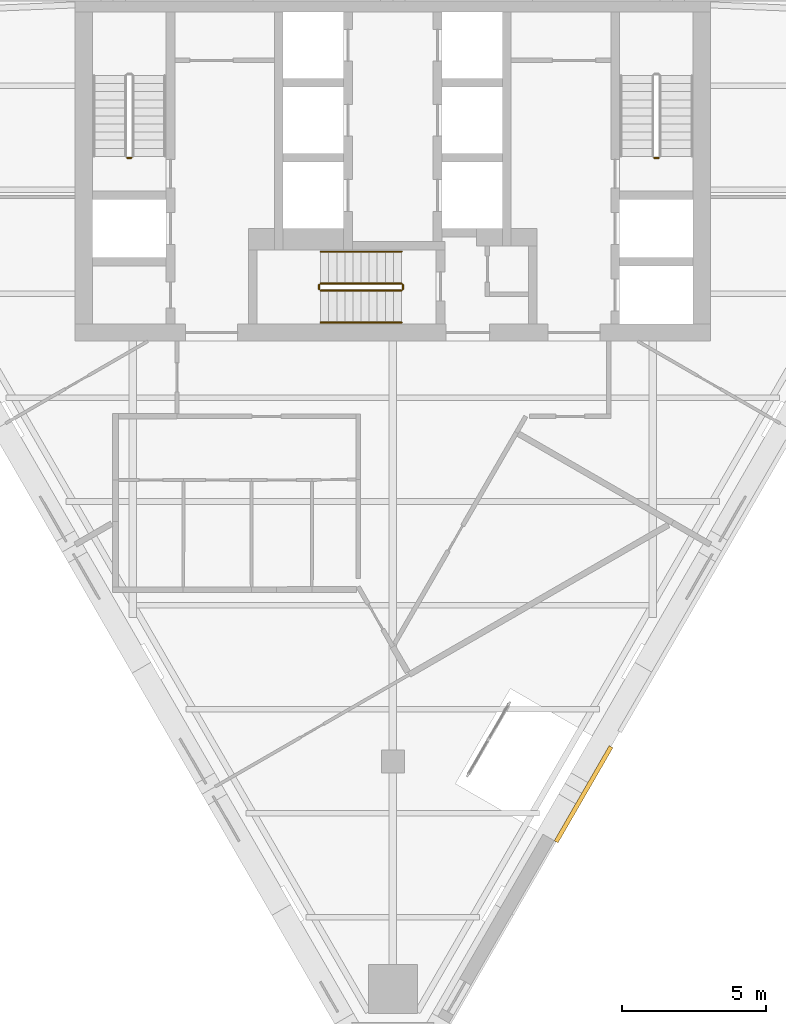
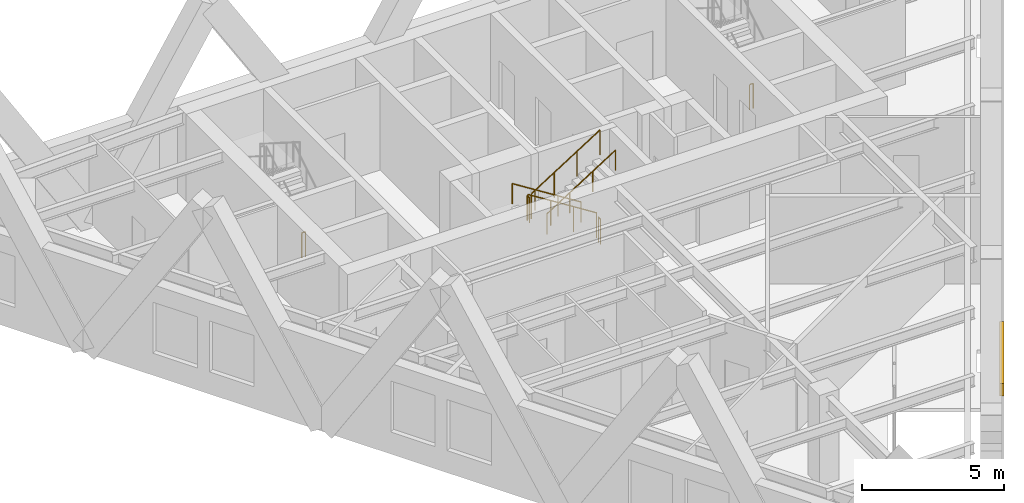
# One storey, part 8 of 10: 8 railings, 1 covering.
"""IFC4 building model written with IfcOpenShell, lengths in metres."""

import ifcopenshell
import ifcopenshell.guid

model = None  # the IFC model being written
_history = None  # IfcOwnerHistory: only IFC2X3 demands one
_inside = {}  # id of a spatial element -> (the spatial element, [elements in it])
_under = {}  # id of a project, library or spatial element -> (it, [spatial elements below it])
_declared = {}  # id of a project -> (the project, [libraries it declares])
_typed = {}  # id of a type object -> (the type object, [elements of that type])
_made_of = {}  # id of a material, layer set ... -> (it, [elements and type objects made of it])


def new_model(schema):
    """Start an empty IFC model of exactly this schema.

    Asked for "IFC4X3", IfcOpenShell would pick the latest addendum, in which some entities
    have other attributes; the version numbers below select the first issue.
    IFC2X3 requires an IfcOwnerHistory on every rooted entity: one is made here for all.
    """
    global model, _history
    if schema == "IFC4X3":
        model = ifcopenshell.file(schema_version=(4, 3, 0, 0))
    else:
        model = ifcopenshell.file(schema=schema)
    _inside.clear()
    _under.clear()
    _declared.clear()
    _typed.clear()
    _made_of.clear()
    _history = None
    if model.schema == "IFC2X3":
        org = make("IfcOrganization", Name="unknown")
        user = make(
            "IfcPersonAndOrganization",
            ThePerson=make("IfcPerson", FamilyName="unknown"),
            TheOrganization=org,
        )
        app = make(
            "IfcApplication",
            ApplicationDeveloper=org,
            Version="unknown",
            ApplicationFullName="unknown",
            ApplicationIdentifier="unknown",
        )
        _history = make(
            "IfcOwnerHistory",
            OwningUser=user,
            OwningApplication=app,
            ChangeAction="ADDED",
            CreationDate=0,
        )
    return model


def make(cls, **values):
    """One entity of the class cls with the attributes given. An attribute that is None is left unset."""
    return model.create_entity(
        cls, **{name: value for name, value in values.items() if value is not None}
    )


def rooted(cls, **values):
    """An entity with a GlobalId (a new one), such as an element, a storey or a relation."""
    return make(cls, GlobalId=ifcopenshell.guid.new(), OwnerHistory=_history, **values)


def si_unit(unit_type, name, prefix=None):
    """IfcSIUnit, for example si_unit("LENGTHUNIT", "METRE", prefix="MILLI")."""
    return make("IfcSIUnit", UnitType=unit_type, Prefix=prefix, Name=name)


def assignment(units):
    """IfcUnitAssignment: the units of a project."""
    return None if units is None else make("IfcUnitAssignment", Units=units)


def point(xyz):
    """IfcCartesianPoint."""
    return None if xyz is None else make("IfcCartesianPoint", Coordinates=xyz)


def direction(xyz):
    """IfcDirection."""
    return None if xyz is None else make("IfcDirection", DirectionRatios=xyz)


def frame(location, z_axis=None, x_axis=None):
    """IfcAxis2Placement3D, a coordinate frame: its origin and axes. An axis left out is left unset."""
    return make(
        "IfcAxis2Placement3D",
        Location=point(location),
        Axis=direction(z_axis),
        RefDirection=direction(x_axis),
    )


def frame_2d(location, x_axis=None):
    """IfcAxis2Placement2D, a coordinate frame in the plane: its origin and x axis."""
    return make(
        "IfcAxis2Placement2D", Location=point(location), RefDirection=direction(x_axis)
    )


def origin():
    """The frame at (0, 0, 0) with its axes left unset."""
    return frame((0.0, 0.0, 0.0))


def origin_2d():
    """The frame at (0, 0) in the plane with its x axis left unset."""
    return frame_2d((0.0, 0.0))


def place(relative_to, where):
    """IfcLocalPlacement: puts the frame where relative to a parent placement (None: the world)."""
    return make(
        "IfcLocalPlacement", PlacementRelTo=relative_to, RelativePlacement=where
    )


def context(
    kind, dimensions, precision=None, world=None, true_north=None, identifier=None
):
    """IfcGeometricRepresentationContext, for example the 3D "Model" context."""
    return make(
        "IfcGeometricRepresentationContext",
        ContextIdentifier=identifier,
        ContextType=kind,
        CoordinateSpaceDimension=dimensions,
        Precision=precision,
        WorldCoordinateSystem=world,
        TrueNorth=true_north,
    )


def subcontext(parent, identifier, kind, view, scale=None):
    """IfcGeometricRepresentationSubContext, for example "Body" below "Model"."""
    return make(
        "IfcGeometricRepresentationSubContext",
        ContextIdentifier=identifier,
        ContextType=kind,
        ParentContext=parent,
        TargetScale=scale,
        TargetView=view,
    )


def project(units=None, contexts=None):
    """IfcProject with its units and contexts."""
    return rooted(
        "IfcProject",
        Name="project",
        RepresentationContexts=contexts,
        UnitsInContext=assignment(units),
    )


def spatial(cls, under=None, at=None, **own):
    """A site, building, storey or space (cls), placed at a placement, below another one or the project."""
    s = rooted(cls, ObjectPlacement=at, **own)
    if under is not None:
        _under.setdefault(under.id(), (under, []))[1].append(s)
    return s


def polyline(points):
    """IfcPolyline through the points."""
    return make("IfcPolyline", Points=[point(p) for p in points])


def profile(cls, at=None, kind="AREA", **sizes):
    """A parametric profile (cls). Its sizes go by their IFC names, for example OverallWidth=200.0."""
    return make(cls, ProfileType=kind, Position=at, **sizes)


def circle(**sizes):
    """IfcCircleProfileDef."""
    return profile("IfcCircleProfileDef", **sizes)


def outline(outer, holes=None, kind="AREA"):
    """IfcArbitraryClosedProfileDef: a profile drawn as a closed curve; with holes, ...WithVoids."""
    if holes is None:
        return make("IfcArbitraryClosedProfileDef", ProfileType=kind, OuterCurve=outer)
    return make(
        "IfcArbitraryProfileDefWithVoids",
        ProfileType=kind,
        OuterCurve=outer,
        InnerCurves=holes,
    )


def extrude(swept, where, along, depth):
    """IfcExtrudedAreaSolid: the profile swept, set in the frame where, extruded along a direction by depth."""
    return make(
        "IfcExtrudedAreaSolid",
        SweptArea=swept,
        Position=where,
        ExtrudedDirection=direction(along),
        Depth=depth,
    )


def shape(context_of_items, identifier, shape_type, items):
    """IfcShapeRepresentation: the items that make up one representation, for example the "Body"."""
    return make(
        "IfcShapeRepresentation",
        ContextOfItems=context_of_items,
        RepresentationIdentifier=identifier,
        RepresentationType=shape_type,
        Items=items,
    )


def material(Name=None, Category=None):
    """IfcMaterial."""
    return make("IfcMaterial", Name=Name, Category=Category)


def layer(
    of_material, thickness, ventilated=None, Name=None, Category=None, Priority=None
):
    """IfcMaterialLayer: one layer of a wall or slab, of a material (None: an air gap)."""
    return make(
        "IfcMaterialLayer",
        Material=of_material,
        LayerThickness=thickness,
        IsVentilated=ventilated,
        Name=Name,
        Category=Category,
        Priority=Priority,
    )


def layer_set(layers, Name=None):
    """IfcMaterialLayerSet."""
    return make("IfcMaterialLayerSet", MaterialLayers=layers, LayerSetName=Name)


def made_of(thing, what):
    """Note that an element or type object is made of a material, layer set ...; save() writes the relation."""
    if what is not None:
        _made_of.setdefault(what.id(), (what, []))[1].append(thing)
    return thing


def type_object(cls, material=None, **own):
    """A type object (cls), such as IfcWallType, which elements share."""
    return made_of(rooted(cls, **own), material)


def element(
    cls,
    number,
    at=None,
    inside=None,
    cuts=None,
    type_object=None,
    material=None,
    context=None,
    identifier="Body",
    shape_type=None,
    held_by="IfcProductDefinitionShape",
    body=None,
    shapes=None,
    **own,
):
    """One element of the class cls, such as IfcWall. Its Tag is "e" and its number.

    at: its placement. inside: the storey or other place that contains it. cuts: it is an
    opening in that element (IfcRelVoidsElement). A single representation is given by context,
    identifier, shape_type and body (its items); several are given by shapes. held_by: the class
    of the entity that holds the representations. save() writes the other relations.
    """
    e = rooted(cls, Tag="e%d" % number, ObjectPlacement=at, **own)
    if body is not None:
        shapes = [shape(context, identifier, shape_type, body)]
    if shapes is not None:
        e.Representation = make(held_by, Representations=shapes)
    if inside is not None:
        _inside.setdefault(inside.id(), (inside, []))[1].append(e)
    if cuts is not None:
        rooted(
            "IfcRelVoidsElement", RelatingBuildingElement=cuts, RelatedOpeningElement=e
        )
    if type_object is not None:
        _typed.setdefault(type_object.id(), (type_object, []))[1].append(e)
    return made_of(e, material)


def aggregate(whole, parts):
    """IfcRelAggregates: a whole, such as a stair, and the parts it consists of."""
    return rooted("IfcRelAggregates", RelatingObject=whole, RelatedObjects=parts)


def save(model, path):
    """Write the relations noted so far, then the file.

    IfcRelAggregates (storeys below a building ...), IfcRelContainedInSpatialStructure (elements
    in a storey), IfcRelDefinesByType, IfcRelAssociatesMaterial and IfcRelDeclares: one each for
    every whole, place, type object, material and project.
    """
    for whole, parts in _under.values():
        aggregate(whole, parts)
    for where, things in _inside.values():
        rooted(
            "IfcRelContainedInSpatialStructure",
            RelatedElements=things,
            RelatingStructure=where,
        )
    for kind, things in _typed.values():
        rooted("IfcRelDefinesByType", RelatedObjects=things, RelatingType=kind)
    for what, things in _made_of.values():
        rooted("IfcRelAssociatesMaterial", RelatedObjects=things, RelatingMaterial=what)
    for by, libraries in _declared.values():
        rooted("IfcRelDeclares", RelatingContext=by, RelatedDefinitions=libraries)
    model.write(path)


model = new_model("IFC4")

# Units and contexts
model_context = context("Model", 3, precision=1e-05, world=origin(), true_north=direction((0.0, 1.0)))
body_context = subcontext(model_context, "Body", "Model", "MODEL_VIEW")
ifc_project = project(units=[si_unit("LENGTHUNIT", "METRE"), si_unit("AREAUNIT", "SQUARE_METRE"), si_unit("VOLUMEUNIT", "CUBIC_METRE"), si_unit("PLANEANGLEUNIT", "RADIAN"), si_unit("MASSUNIT", "GRAM", prefix="KILO")], contexts=[model_context])

# Site, building, storey
site_placement = place(None, origin())
site = spatial("IfcSite", under=ifc_project, at=site_placement, CompositionType="ELEMENT")
building_placement = place(site_placement, origin())
building = spatial("IfcBuilding", under=site, at=building_placement, Name="Aloe Facet Convention Tower", CompositionType="ELEMENT")
storey_placement = place(building_placement, frame((0.0, 0.0, 219.199951171875)))
storey = spatial("IfcBuildingStorey", under=building, at=storey_placement, Name="L55", CompositionType="ELEMENT", Elevation=219.199951171875)

# Railings
ifc_material_1 = material(Name="Steel S355 balustrade", Category="steel")
railing_type_1 = type_object("IfcRailingType", Name="CR-RL-GUARD", PredefinedType="GUARDRAIL", material=ifc_material_1)
for number, where, name in (
    (1, (70.949951171875, 128.89990234375, 0.0), "L55 ST1 stair guard 4"),
    (2, (89.199951171875, 128.89990234375, 0.0), "L55 ST2 stair guard 4"),
):
    element("IfcRailing", number, at=place(storey_placement, frame(where)), inside=storey, type_object=railing_type_1, Name=name, PredefinedType="GUARDRAIL", context=body_context, shape_type="SweptSolid", body=[
        extrude(circle(Radius=0.02392578125, at=origin_2d()), frame((0.0, 0.0, 1.076171875), z_axis=(-1.0, 0.0, 0.0), x_axis=(0.0, -1.0, 0.0)), (0.0, 0.0, 1.0), 0.14990234375),
        extrude(circle(Radius=0.02099609375, at=origin_2d()), origin(), (0.0, 0.0, 1.0), 1.052001953125),
        extrude(circle(Radius=0.02099609375, at=origin_2d()), frame((-0.14990234375, 0.0, 0.0)), (0.0, 0.0, 1.0), 1.052001953125),
    ])
railing_1_placement = place(storey_placement, frame((80.300048828125, 124.550048828125, 0.17724609375)))
element("IfcRailing", 3, at=railing_1_placement, inside=storey, type_object=railing_type_1, Name="L55 ST3 stair guard 1", PredefinedType="GUARDRAIL", context=body_context, shape_type="SweptSolid", body=[
    extrude(circle(Radius=0.02392578125, at=origin_2d()), frame((0.0, 0.0, 1.076171875), z_axis=(-0.844908973607, 0.0, 0.534910110503), x_axis=(0.0, -1.0, 0.0)), (0.0, 0.0, 1.0), 3.31396484375),
    extrude(circle(Radius=0.02099609375, at=origin_2d()), origin(), (0.0, 0.0, 1.0), 1.052001953125),
    extrude(circle(Radius=0.02099609375, at=origin_2d()), frame((-0.933349609375, 0.0, 0.5908203125)), (0.0, 0.0, 1.0), 1.052001953125),
    extrude(circle(Radius=0.02099609375, at=origin_2d()), frame((-1.86669921875, 0.0, 1.181884765625)), (0.0, 0.0, 1.0), 1.052001953125),
    extrude(circle(Radius=0.02099609375, at=origin_2d()), frame((-2.800048828125, 0.0, 1.772705078125)), (0.0, 0.0, 1.0), 1.052001953125),
])
railing_2_placement = place(storey_placement, frame((77.449951171875, 124.5, 1.949951171875)))
element("IfcRailing", 4, at=railing_2_placement, inside=storey, type_object=railing_type_1, Name="L55 ST3 stair guard 2", PredefinedType="GUARDRAIL", context=body_context, shape_type="SweptSolid", body=[
    extrude(circle(Radius=0.02392578125, at=origin_2d()), frame((0.0, 0.0, 1.076171875), z_axis=(0.0, -1.0, 0.0), x_axis=(1.0, 0.0, 0.0)), (0.0, 0.0, 1.0), 0.14990234375),
    extrude(circle(Radius=0.02099609375, at=origin_2d()), origin(), (0.0, 0.0, 1.0), 1.052001953125),
    extrude(circle(Radius=0.02099609375, at=origin_2d()), frame((0.0, -0.14990234375, 0.0)), (0.0, 0.0, 1.0), 1.052001953125),
])
railing_3_placement = place(storey_placement, frame((77.5, 124.300048828125, 2.12744140625)))
element("IfcRailing", 5, at=railing_3_placement, inside=storey, type_object=railing_type_1, Name="L55 ST3 stair guard 3", PredefinedType="GUARDRAIL", context=body_context, shape_type="SweptSolid", body=[
    extrude(circle(Radius=0.02392578125, at=origin_2d()), frame((0.0, 0.0, 1.076171875), z_axis=(0.844908973607, 0.0, 0.534910110503), x_axis=(0.0, 1.0, 0.0)), (0.0, 0.0, 1.0), 3.31396484375),
    extrude(circle(Radius=0.02099609375, at=origin_2d()), origin(), (0.0, 0.0, 1.0), 1.052001953125),
    extrude(circle(Radius=0.02099609375, at=origin_2d()), frame((0.933349609375, 0.0, 0.5908203125)), (0.0, 0.0, 1.0), 1.052001953125),
    extrude(circle(Radius=0.02099609375, at=origin_2d()), frame((1.86669921875, 0.0, 1.181884765625)), (0.0, 0.0, 1.0), 1.052001953125),
    extrude(circle(Radius=0.02099609375, at=origin_2d()), frame((2.800048828125, 0.0, 1.772705078125)), (0.0, 0.0, 1.0), 1.052001953125),
])
railing_4_placement = place(storey_placement, frame((80.35009765625, 124.5, 0.0)))
element("IfcRailing", 6, at=railing_4_placement, inside=storey, type_object=railing_type_1, Name="L55 ST3 stair guard 4", PredefinedType="GUARDRAIL", context=body_context, shape_type="SweptSolid", body=[
    extrude(circle(Radius=0.02392578125, at=origin_2d()), frame((0.0, 0.0, 1.076171875), z_axis=(0.0, -1.0, 0.0), x_axis=(1.0, 0.0, 0.0)), (0.0, 0.0, 1.0), 0.14990234375),
    extrude(circle(Radius=0.02099609375, at=origin_2d()), origin(), (0.0, 0.0, 1.0), 1.052001953125),
    extrude(circle(Radius=0.02099609375, at=origin_2d()), frame((0.0, -0.14990234375, 0.0)), (0.0, 0.0, 1.0), 1.052001953125),
])
ifc_material_2 = material(Name="Steel S355 handrail", Category="steel")
railing_type_2 = type_object("IfcRailingType", Name="CR-RL-HAND", PredefinedType="HANDRAIL", material=ifc_material_2)
railing_5_placement = place(storey_placement, frame((80.300048828125, 125.64990234375, 0.17724609375)))
element("IfcRailing", 7, at=railing_5_placement, inside=storey, type_object=railing_type_2, Name="L55 ST3 stair handrail 1", PredefinedType="HANDRAIL", context=body_context, shape_type="SweptSolid", body=[
    extrude(circle(Radius=0.02392578125, at=origin_2d()), frame((0.0, 0.0, 0.8759765625), z_axis=(-0.844908973607, 0.0, 0.534910110503), x_axis=(0.0, -1.0, 0.0)), (0.0, 0.0, 1.0), 3.31396484375),
    extrude(circle(Radius=0.02099609375, at=origin_2d()), origin(), (0.0, 0.0, 1.0), 0.851806640625),
    extrude(circle(Radius=0.02099609375, at=origin_2d()), frame((-0.933349609375, 0.0, 0.5908203125)), (0.0, 0.0, 1.0), 0.851806640625),
    extrude(circle(Radius=0.02099609375, at=origin_2d()), frame((-1.86669921875, 0.0, 1.181884765625)), (0.0, 0.0, 1.0), 0.851806640625),
    extrude(circle(Radius=0.02099609375, at=origin_2d()), frame((-2.800048828125, 0.0, 1.772705078125)), (0.0, 0.0, 1.0), 0.851806640625),
])
railing_6_placement = place(storey_placement, frame((77.5, 123.199951171875, 2.12744140625)))
element("IfcRailing", 8, at=railing_6_placement, inside=storey, type_object=railing_type_2, Name="L55 ST3 stair handrail 2", PredefinedType="HANDRAIL", context=body_context, shape_type="SweptSolid", body=[
    extrude(circle(Radius=0.02392578125, at=origin_2d()), frame((0.0, 0.0, 0.8759765625), z_axis=(0.844908973607, 0.0, 0.534910110503), x_axis=(0.0, 1.0, 0.0)), (0.0, 0.0, 1.0), 3.31396484375),
    extrude(circle(Radius=0.02099609375, at=origin_2d()), origin(), (0.0, 0.0, 1.0), 0.851806640625),
    extrude(circle(Radius=0.02099609375, at=origin_2d()), frame((0.933349609375, 0.0, 0.5908203125)), (0.0, 0.0, 1.0), 0.851806640625),
    extrude(circle(Radius=0.02099609375, at=origin_2d()), frame((1.86669921875, 0.0, 1.181884765625)), (0.0, 0.0, 1.0), 0.851806640625),
    extrude(circle(Radius=0.02099609375, at=origin_2d()), frame((2.800048828125, 0.0, 1.772705078125)), (0.0, 0.0, 1.0), 0.851806640625),
])

# Covering
ifc_material_3 = material(Name="Bronze oxide fascia sheet")
ifc_layer = layer(ifc_material_3, 0.14990234375)
ifc_layer_set = layer_set([ifc_layer], Name="EV-FASCIA-TERR")
covering_type = type_object("IfcCoveringType", Name="EV-FASCIA-TERR", PredefinedType="CLADDING", material=ifc_layer_set)
covering_placement = place(storey_placement, frame((0.0, 0.0, 3.199951171875)))
element("IfcCovering", 9, at=covering_placement, inside=storey, type_object=covering_type, Name="Terrace fascia T12 head", PredefinedType="CLADDING", context=body_context, shape_type="SweptSolid", body=[
    extrude(outline(polyline([(85.720947265625, 105.1796875), (87.62109375, 108.470703125), (87.4912109375, 108.545654296875), (85.591064453125, 105.254638671875), (85.720947265625, 105.1796875)])), origin(), (0.0, 0.0, 1.0), 0.550048828125),
])

save(model, "model.ifc")
